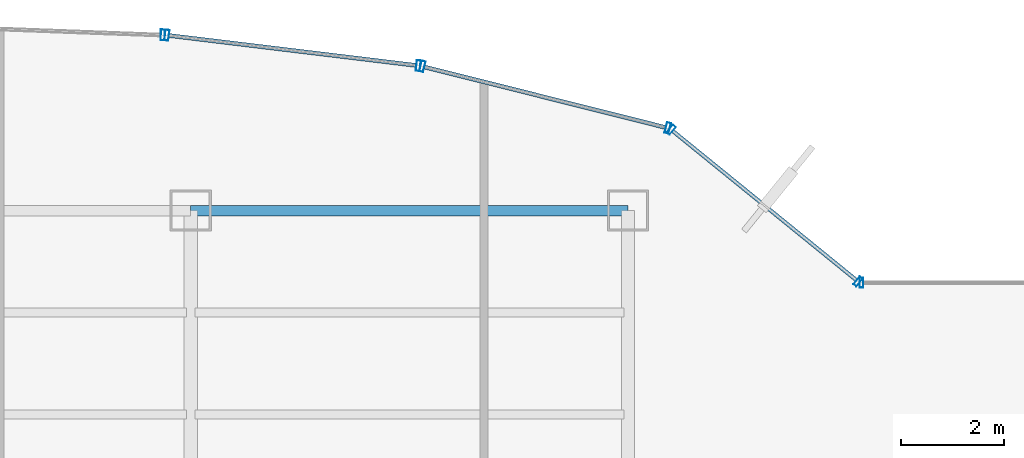
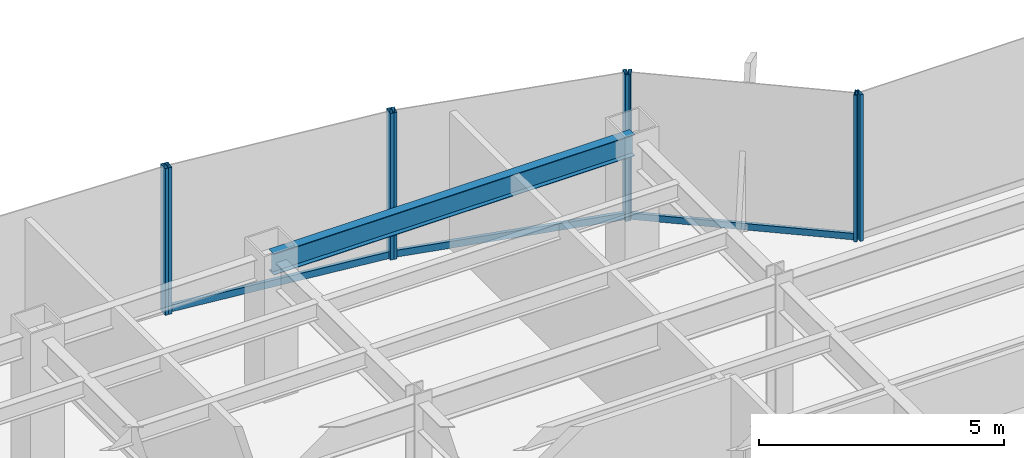
# One storey, part 18 of 26: 11 members, 1 beam, 5 elements without a shape of their own.
"""IFC4 building model written with IfcOpenShell, lengths in metres."""

from ifc_helpers import new_model, si_unit, derived_unit, direction, frame, origin, origin_2d, place, context, subcontext, project, spatial, hollow_rectangle, i_section, extrude, source, transform, mapped, material, material_profile, profile_set, type_object, element, aggregate, save


model = new_model("IFC4")

# Units and contexts
model_context = context("Model", 3, precision=1e-05, world=origin(), true_north=direction((0.0, 1.0)))
body_context = subcontext(model_context, "Body", "Model", "MODEL_VIEW")
ifc_project = project(units=[si_unit("LENGTHUNIT", "METRE"), si_unit("AREAUNIT", "SQUARE_METRE"), si_unit("VOLUMEUNIT", "CUBIC_METRE"), si_unit("PLANEANGLEUNIT", "RADIAN"), si_unit("MASSUNIT", "GRAM", prefix="KILO"), derived_unit("THERMALTRANSMITTANCEUNIT", [(si_unit("POWERUNIT", "WATT"), 1), (si_unit("LENGTHUNIT", "METRE"), -2), (si_unit("THERMODYNAMICTEMPERATUREUNIT", "KELVIN"), -1)])], contexts=[model_context])

# Site, building, storey
site_placement = place(None, origin())
site = spatial("IfcSite", under=ifc_project, at=site_placement, CompositionType="ELEMENT")
building_placement = place(site_placement, origin())
building = spatial("IfcBuilding", under=site, at=building_placement, Name="Skarnbrae Concourse Arena and Tower", CompositionType="ELEMENT")
storey_placement = place(building_placement, frame((0.0, 0.0, 103.25)))
storey = spatial("IfcBuildingStorey", under=building, at=storey_placement, Name="L25", CompositionType="ELEMENT", Elevation=103.25)

# Beam
ifc_material_1 = material(Name="Steel CSA G40.21 350W", Category="steel")
ifc_material_profile_1 = material_profile(ifc_material_1, i_section(OverallWidth=0.208984375, OverallDepth=0.532958984375, WebThickness=0.01025390625, FlangeThickness=0.015625, at=origin_2d()), Name="W530X92")
ifc_profile_set_1 = profile_set([ifc_material_profile_1], Name="Steel CSA G40.21 350W")
beam_type = type_object("IfcBeamType", Name="BM-SPAN-W530X92", PredefinedType="SPANDREL", material=ifc_profile_set_1)
shared_shape_1 = source(origin(), body_context, "Body", "SweptSolid", [
    extrude(i_section(OverallWidth=0.208984375, OverallDepth=0.532958984375, WebThickness=0.01025390625, FlangeThickness=0.015625, at=origin_2d()), origin(), (0.0, 0.0, 1.0), 8.5),
])
beam_placement = place(storey_placement, frame((33.5, 40.39990234375, 3.133544921875), z_axis=(1.0, 0.0, 0.0), x_axis=(0.0, 1.0, 0.0)))
element("IfcBeam", 1, at=beam_placement, inside=storey, type_object=beam_type, Name="L25 Perimeter spandrel Y40.4-4", PredefinedType="SPANDREL", context=body_context, shape_type="MappedRepresentation", body=[
    mapped(shared_shape_1, transform((0.0, 0.0, 0.0))),
])

# Curtain wall, members
ifc_material_2 = material(Name="Bronze anodised aluminium 6063-T6", Category="aluminium")
curtain_wall_type_1 = type_object("IfcCurtainWallType", Name="CW-SYS-03-PORTAL", PredefinedType="USERDEFINED", material=ifc_material_2)
curtain_wall_1_placement = place(storey_placement, origin())
curtain_wall_1 = element("IfcCurtainWall", 2, at=curtain_wall_1_placement, inside=storey, type_object=curtain_wall_type_1, Name="L25 Unitised curtain wall CW-L25-E09", ObjectType="UNITISED CURTAIN WALL", PredefinedType="USERDEFINED")
ifc_material_profile_2 = material_profile(ifc_material_2, hollow_rectangle(XDim=0.080078125, YDim=0.2099609375, WallThickness=0.00439453125, at=origin_2d()), Name="ALU-MULL-80X210")
ifc_profile_set_2 = profile_set([ifc_material_profile_2], Name="Bronze anodised aluminium 6063-T6")
member_type_1 = type_object("IfcMemberType", Name="CWM-CW-03", PredefinedType="MULLION", material=ifc_profile_set_2)
shared_shape_2 = source(origin(), body_context, "Body", "SweptSolid", [
    extrude(hollow_rectangle(XDim=0.080078125, YDim=0.2099609375, WallThickness=0.00439453125, at=origin_2d()), origin(), (0.0, 0.0, 1.0), 3.64990234375),
])
member_1_placement = place(storey_placement, frame((42.772216796875, 42.005615234375, 0.0), z_axis=(0.0, 0.0, 1.0), x_axis=(-0.969903046166, 0.243491439351, 0.0)))
member_1 = element("IfcMember", 3, at=member_1_placement, type_object=member_type_1, Name="CW-L25-E09 Mullion 1", PredefinedType="MULLION", context=body_context, shape_type="MappedRepresentation", body=[
    mapped(shared_shape_2, transform((0.0, 0.0, 0.0))),
])
member_2_placement = place(storey_placement, frame((38.0029296875, 43.203125, 0.0), z_axis=(0.0, 0.0, 1.0), x_axis=(-0.969903046166, 0.243491439351, 0.0)))
member_2 = element("IfcMember", 4, at=member_2_placement, type_object=member_type_1, Name="CW-L25-E09 Mullion 2", PredefinedType="MULLION", context=body_context, shape_type="MappedRepresentation", body=[
    mapped(shared_shape_2, transform((0.0, 0.0, 0.0))),
])

curtain_wall_2_placement = place(storey_placement, origin())
curtain_wall_2 = element("IfcCurtainWall", 5, at=curtain_wall_2_placement, inside=storey, type_object=curtain_wall_type_1, Name="L25 Unitised curtain wall CW-L25-E10", ObjectType="UNITISED CURTAIN WALL", PredefinedType="USERDEFINED")
member_3_placement = place(storey_placement, frame((37.924560546875, 43.217529296875, 0.0), z_axis=(0.0, 0.0, 1.0), x_axis=(-0.992749371969, 0.120202680731, 0.0)))
member_3 = element("IfcMember", 6, at=member_3_placement, type_object=member_type_1, Name="CW-L25-E10 Mullion 1", PredefinedType="MULLION", context=body_context, shape_type="MappedRepresentation", body=[
    mapped(shared_shape_2, transform((0.0, 0.0, 0.0))),
])
member_4_placement = place(storey_placement, frame((33.03857421875, 43.80908203125, 0.0), z_axis=(0.0, 0.0, 1.0), x_axis=(-0.992749371969, 0.120202680731, 0.0)))
member_4 = element("IfcMember", 7, at=member_4_placement, type_object=member_type_1, Name="CW-L25-E10 Mullion 2", PredefinedType="MULLION", context=body_context, shape_type="MappedRepresentation", body=[
    mapped(shared_shape_2, transform((0.0, 0.0, 0.0))),
])

# Curtain wall, member
curtain_wall_3_placement = place(storey_placement, origin())
curtain_wall_3 = element("IfcCurtainWall", 8, at=curtain_wall_3_placement, inside=storey, type_object=curtain_wall_type_1, Name="L25 Unitised curtain wall CW-L25-E11", ObjectType="UNITISED CURTAIN WALL", PredefinedType="USERDEFINED")
member_5_placement = place(storey_placement, frame((32.958984375, 43.8154296875, 0.0), z_axis=(0.0, 0.0, 1.0), x_axis=(-0.999308486252, 0.037182647889, 0.0)))
member_5 = element("IfcMember", 9, at=member_5_placement, type_object=member_type_1, Name="CW-L25-E11 Mullion 1", PredefinedType="MULLION", context=body_context, shape_type="MappedRepresentation", body=[
    mapped(shared_shape_2, transform((0.0, 0.0, 0.0))),
])
aggregate(curtain_wall_3, [member_5])

curtain_wall_type_2 = type_object("IfcCurtainWallType", Name="CW-SYS-04-MIDZONE", PredefinedType="USERDEFINED", material=ifc_material_2)
curtain_wall_4_placement = place(storey_placement, origin())
curtain_wall_4 = element("IfcCurtainWall", 10, at=curtain_wall_4_placement, inside=storey, type_object=curtain_wall_type_2, Name="L25 Unitised curtain wall CW-L25-E08", ObjectType="UNITISED CURTAIN WALL", PredefinedType="USERDEFINED")
ifc_material_profile_3 = material_profile(ifc_material_2, hollow_rectangle(XDim=0.074951171875, YDim=0.159912109375, WallThickness=0.00439453125, at=origin_2d()), Name="ALU-TRAN-75X160")
ifc_profile_set_3 = profile_set([ifc_material_profile_3], Name="Bronze anodised aluminium 6063-T6")
member_type_2 = type_object("IfcMemberType", Name="CWT-CW-04", PredefinedType="USERDEFINED", material=ifc_profile_set_3)
shared_shape_3 = source(origin(), body_context, "Body", "SweptSolid", [
    extrude(hollow_rectangle(XDim=0.074951171875, YDim=0.159912109375, WallThickness=0.00439453125, at=origin_2d()), origin(), (0.0, 0.0, 1.0), 4.602294921875),
])
member_6_placement = place(storey_placement, frame((46.44189453125, 39.04736328125, 0.080078125), z_axis=(-0.776251906445, 0.630422856297, 0.0), x_axis=(-0.630422856297, -0.776251906445, 0.0)))
member_6 = element("IfcMember", 11, at=member_6_placement, type_object=member_type_2, Name="CW-L25-E08 Transom 1", ObjectType="TRANSOM", PredefinedType="USERDEFINED", context=body_context, shape_type="MappedRepresentation", body=[
    mapped(shared_shape_3, transform((0.0, 0.0, 0.0))),
])

curtain_wall_5_placement = place(storey_placement, origin())
curtain_wall_5 = element("IfcCurtainWall", 12, at=curtain_wall_5_placement, inside=storey, type_object=curtain_wall_type_2, Name="L25 Unitised curtain wall CW-L25-E07", ObjectType="UNITISED CURTAIN WALL", PredefinedType="USERDEFINED")
ifc_material_profile_4 = material_profile(ifc_material_2, hollow_rectangle(XDim=0.074951171875, YDim=0.195068359375, WallThickness=0.00439453125, at=origin_2d()), Name="ALU-MULL-75X195")
ifc_profile_set_4 = profile_set([ifc_material_profile_4], Name="Bronze anodised aluminium 6063-T6")
member_type_3 = type_object("IfcMemberType", Name="CWM-CW-04", PredefinedType="MULLION", material=ifc_profile_set_4)
shared_shape_4 = source(origin(), body_context, "Body", "SweptSolid", [
    extrude(hollow_rectangle(XDim=0.074951171875, YDim=0.195068359375, WallThickness=0.00439453125, at=origin_2d()), origin(), (0.0, 0.0, 1.0), 3.64990234375),
])
member_7_placement = place(storey_placement, frame((46.53759765625, 39.0, 0.0), z_axis=(0.0, 0.0, 1.0), x_axis=(-1.0, 0.0, 0.0)))
member_7 = element("IfcMember", 13, at=member_7_placement, type_object=member_type_3, Name="CW-L25-E07 Mullion 2", PredefinedType="MULLION", context=body_context, shape_type="MappedRepresentation", body=[
    mapped(shared_shape_4, transform((0.0, 0.0, 0.0))),
])
aggregate(curtain_wall_5, [member_7])

# Member
member_8_placement = place(storey_placement, frame((46.470947265625, 39.023681640625, 0.0), z_axis=(0.0, 0.0, 1.0), x_axis=(-0.776241200471, 0.630436038542, 0.0)))
member_8 = element("IfcMember", 14, at=member_8_placement, type_object=member_type_3, Name="CW-L25-E08 Mullion 1", PredefinedType="MULLION", context=body_context, shape_type="MappedRepresentation", body=[
    mapped(shared_shape_4, transform((0.0, 0.0, 0.0))),
])

member_9_placement = place(storey_placement, frame((42.840087890625, 41.972412109375, 0.0), z_axis=(0.0, 0.0, 1.0), x_axis=(-0.776241200471, 0.630436038542, 0.0)))
member_9 = element("IfcMember", 15, at=member_9_placement, type_object=member_type_3, Name="CW-L25-E08 Mullion 2", PredefinedType="MULLION", context=body_context, shape_type="MappedRepresentation", body=[
    mapped(shared_shape_4, transform((0.0, 0.0, 0.0))),
])

aggregate(curtain_wall_4, [member_8, member_9, member_6])

ifc_material_profile_5 = material_profile(ifc_material_2, hollow_rectangle(XDim=0.080078125, YDim=0.169921875, WallThickness=0.00439453125, at=origin_2d()), Name="ALU-TRAN-80X170")
ifc_profile_set_5 = profile_set([ifc_material_profile_5], Name="Bronze anodised aluminium 6063-T6")
member_type_4 = type_object("IfcMemberType", Name="CWT-CW-03", PredefinedType="USERDEFINED", material=ifc_profile_set_5)
shared_shape_5 = source(origin(), body_context, "Body", "SweptSolid", [
    extrude(hollow_rectangle(XDim=0.080078125, YDim=0.169921875, WallThickness=0.00439453125, at=origin_2d()), origin(), (0.0, 0.0, 1.0), 4.837158203125),
])
member_10_placement = place(storey_placement, frame((42.7333984375, 42.015380859375, 0.0849609375), z_axis=(-0.969895583622, 0.243521163084, 0.0), x_axis=(-0.243521163084, -0.969895583622, 0.0)))
member_10 = element("IfcMember", 16, at=member_10_placement, type_object=member_type_4, Name="CW-L25-E09 Transom 1", ObjectType="TRANSOM", PredefinedType="USERDEFINED", context=body_context, shape_type="MappedRepresentation", body=[
    mapped(shared_shape_5, transform((0.0, 0.0, 0.0))),
])

aggregate(curtain_wall_1, [member_1, member_2, member_10])

shared_shape_6 = source(origin(), body_context, "Body", "SweptSolid", [
    extrude(hollow_rectangle(XDim=0.080078125, YDim=0.169921875, WallThickness=0.00439453125, at=origin_2d()), origin(), (0.0, 0.0, 1.0), 4.841552734375),
])
member_11_placement = place(storey_placement, frame((37.884765625, 43.222412109375, 0.0849609375), z_axis=(-0.992747648444, 0.120216914405, 0.0), x_axis=(-0.120216914405, -0.992747648444, 0.0)))
member_11 = element("IfcMember", 17, at=member_11_placement, type_object=member_type_4, Name="CW-L25-E10 Transom 1", ObjectType="TRANSOM", PredefinedType="USERDEFINED", context=body_context, shape_type="MappedRepresentation", body=[
    mapped(shared_shape_6, transform((0.0, 0.0, 0.0))),
])

aggregate(curtain_wall_2, [member_3, member_4, member_11])

save(model, "model.ifc")
